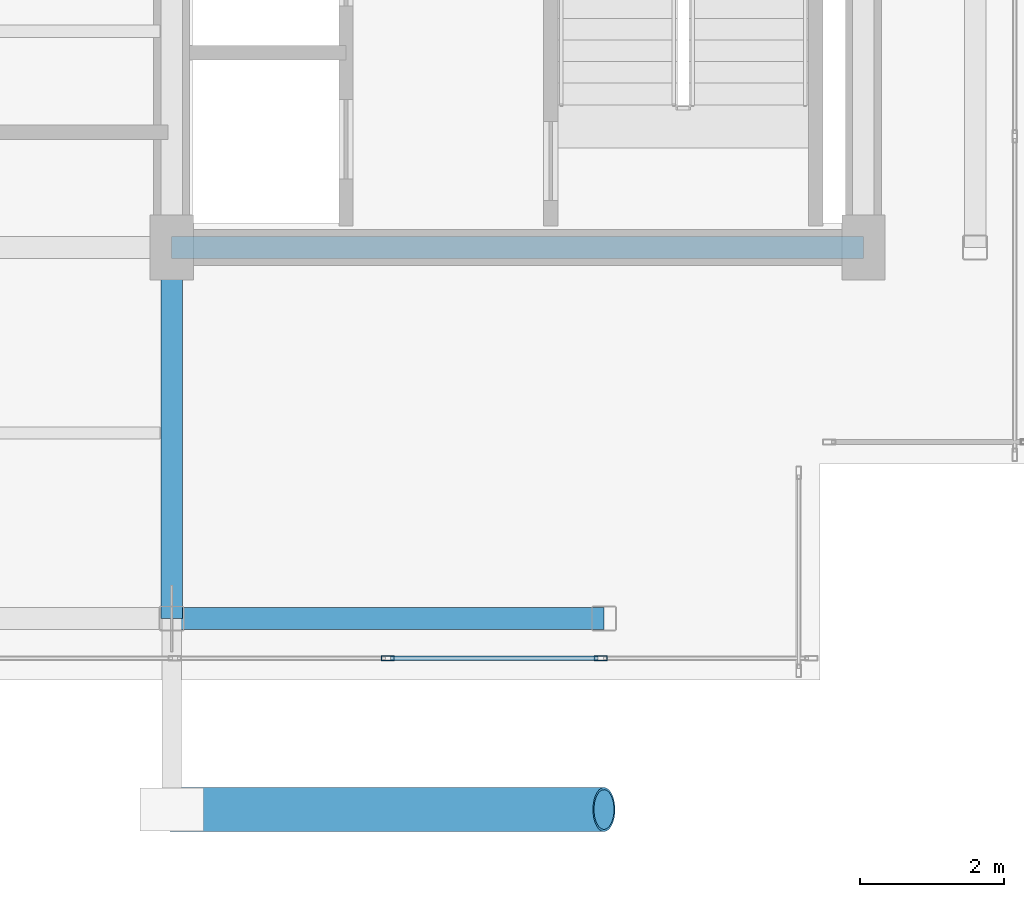
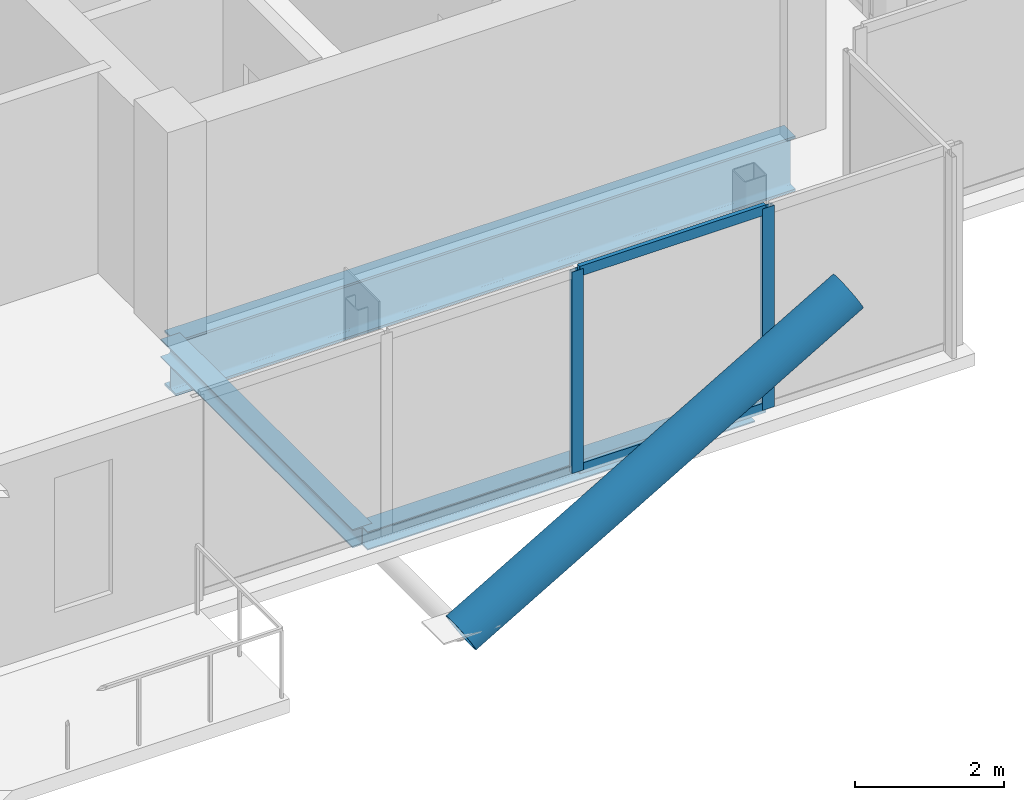
# One storey, part 5 of 18: 5 members, 3 beams, 1 element without a shape of its own.
"""IFC4 building model written with IfcOpenShell, lengths in metres."""

import ifcopenshell
import ifcopenshell.guid

model = None  # the IFC model being written
_history = None  # IfcOwnerHistory: only IFC2X3 demands one
_inside = {}  # id of a spatial element -> (the spatial element, [elements in it])
_under = {}  # id of a project, library or spatial element -> (it, [spatial elements below it])
_declared = {}  # id of a project -> (the project, [libraries it declares])
_typed = {}  # id of a type object -> (the type object, [elements of that type])
_made_of = {}  # id of a material, layer set ... -> (it, [elements and type objects made of it])


def new_model(schema):
    """Start an empty IFC model of exactly this schema.

    Asked for "IFC4X3", IfcOpenShell would pick the latest addendum, in which some entities
    have other attributes; the version numbers below select the first issue.
    IFC2X3 requires an IfcOwnerHistory on every rooted entity: one is made here for all.
    """
    global model, _history
    if schema == "IFC4X3":
        model = ifcopenshell.file(schema_version=(4, 3, 0, 0))
    else:
        model = ifcopenshell.file(schema=schema)
    _inside.clear()
    _under.clear()
    _declared.clear()
    _typed.clear()
    _made_of.clear()
    _history = None
    if model.schema == "IFC2X3":
        org = make("IfcOrganization", Name="unknown")
        user = make(
            "IfcPersonAndOrganization",
            ThePerson=make("IfcPerson", FamilyName="unknown"),
            TheOrganization=org,
        )
        app = make(
            "IfcApplication",
            ApplicationDeveloper=org,
            Version="unknown",
            ApplicationFullName="unknown",
            ApplicationIdentifier="unknown",
        )
        _history = make(
            "IfcOwnerHistory",
            OwningUser=user,
            OwningApplication=app,
            ChangeAction="ADDED",
            CreationDate=0,
        )
    return model


def make(cls, **values):
    """One entity of the class cls with the attributes given. An attribute that is None is left unset."""
    return model.create_entity(
        cls, **{name: value for name, value in values.items() if value is not None}
    )


def rooted(cls, **values):
    """An entity with a GlobalId (a new one), such as an element, a storey or a relation."""
    return make(cls, GlobalId=ifcopenshell.guid.new(), OwnerHistory=_history, **values)


def si_unit(unit_type, name, prefix=None):
    """IfcSIUnit, for example si_unit("LENGTHUNIT", "METRE", prefix="MILLI")."""
    return make("IfcSIUnit", UnitType=unit_type, Prefix=prefix, Name=name)


def assignment(units):
    """IfcUnitAssignment: the units of a project."""
    return None if units is None else make("IfcUnitAssignment", Units=units)


def point(xyz):
    """IfcCartesianPoint."""
    return None if xyz is None else make("IfcCartesianPoint", Coordinates=xyz)


def direction(xyz):
    """IfcDirection."""
    return None if xyz is None else make("IfcDirection", DirectionRatios=xyz)


def frame(location, z_axis=None, x_axis=None):
    """IfcAxis2Placement3D, a coordinate frame: its origin and axes. An axis left out is left unset."""
    return make(
        "IfcAxis2Placement3D",
        Location=point(location),
        Axis=direction(z_axis),
        RefDirection=direction(x_axis),
    )


def frame_2d(location, x_axis=None):
    """IfcAxis2Placement2D, a coordinate frame in the plane: its origin and x axis."""
    return make(
        "IfcAxis2Placement2D", Location=point(location), RefDirection=direction(x_axis)
    )


def origin():
    """The frame at (0, 0, 0) with its axes left unset."""
    return frame((0.0, 0.0, 0.0))


def origin_2d():
    """The frame at (0, 0) in the plane with its x axis left unset."""
    return frame_2d((0.0, 0.0))


def place(relative_to, where):
    """IfcLocalPlacement: puts the frame where relative to a parent placement (None: the world)."""
    return make(
        "IfcLocalPlacement", PlacementRelTo=relative_to, RelativePlacement=where
    )


def context(
    kind, dimensions, precision=None, world=None, true_north=None, identifier=None
):
    """IfcGeometricRepresentationContext, for example the 3D "Model" context."""
    return make(
        "IfcGeometricRepresentationContext",
        ContextIdentifier=identifier,
        ContextType=kind,
        CoordinateSpaceDimension=dimensions,
        Precision=precision,
        WorldCoordinateSystem=world,
        TrueNorth=true_north,
    )


def subcontext(parent, identifier, kind, view, scale=None):
    """IfcGeometricRepresentationSubContext, for example "Body" below "Model"."""
    return make(
        "IfcGeometricRepresentationSubContext",
        ContextIdentifier=identifier,
        ContextType=kind,
        ParentContext=parent,
        TargetScale=scale,
        TargetView=view,
    )


def project(units=None, contexts=None):
    """IfcProject with its units and contexts."""
    return rooted(
        "IfcProject",
        Name="project",
        RepresentationContexts=contexts,
        UnitsInContext=assignment(units),
    )


def spatial(cls, under=None, at=None, **own):
    """A site, building, storey or space (cls), placed at a placement, below another one or the project."""
    s = rooted(cls, ObjectPlacement=at, **own)
    if under is not None:
        _under.setdefault(under.id(), (under, []))[1].append(s)
    return s


def profile(cls, at=None, kind="AREA", **sizes):
    """A parametric profile (cls). Its sizes go by their IFC names, for example OverallWidth=200.0."""
    return make(cls, ProfileType=kind, Position=at, **sizes)


def hollow_rectangle(**sizes):
    """IfcRectangleHollowProfileDef."""
    return profile("IfcRectangleHollowProfileDef", **sizes)


def hollow_circle(**sizes):
    """IfcCircleHollowProfileDef."""
    return profile("IfcCircleHollowProfileDef", **sizes)


def i_section(**sizes):
    """IfcIShapeProfileDef."""
    return profile("IfcIShapeProfileDef", **sizes)


def extrude(swept, where, along, depth):
    """IfcExtrudedAreaSolid: the profile swept, set in the frame where, extruded along a direction by depth."""
    return make(
        "IfcExtrudedAreaSolid",
        SweptArea=swept,
        Position=where,
        ExtrudedDirection=direction(along),
        Depth=depth,
    )


def shape(context_of_items, identifier, shape_type, items):
    """IfcShapeRepresentation: the items that make up one representation, for example the "Body"."""
    return make(
        "IfcShapeRepresentation",
        ContextOfItems=context_of_items,
        RepresentationIdentifier=identifier,
        RepresentationType=shape_type,
        Items=items,
    )


def material(Name=None, Category=None):
    """IfcMaterial."""
    return make("IfcMaterial", Name=Name, Category=Category)


def layer(
    of_material, thickness, ventilated=None, Name=None, Category=None, Priority=None
):
    """IfcMaterialLayer: one layer of a wall or slab, of a material (None: an air gap)."""
    return make(
        "IfcMaterialLayer",
        Material=of_material,
        LayerThickness=thickness,
        IsVentilated=ventilated,
        Name=Name,
        Category=Category,
        Priority=Priority,
    )


def layer_set(layers, Name=None):
    """IfcMaterialLayerSet."""
    return make("IfcMaterialLayerSet", MaterialLayers=layers, LayerSetName=Name)


def material_profile(
    of_material, cross_section, Name=None, Category=None, Priority=None
):
    """IfcMaterialProfile: a cross section and its material."""
    return make(
        "IfcMaterialProfile",
        Name=Name,
        Material=of_material,
        Profile=cross_section,
        Priority=Priority,
        Category=Category,
    )


def profile_set(profiles, Name=None, composite=None):
    """IfcMaterialProfileSet."""
    return make(
        "IfcMaterialProfileSet",
        Name=Name,
        MaterialProfiles=profiles,
        CompositeProfile=composite,
    )


def made_of(thing, what):
    """Note that an element or type object is made of a material, layer set ...; save() writes the relation."""
    if what is not None:
        _made_of.setdefault(what.id(), (what, []))[1].append(thing)
    return thing


def type_object(cls, material=None, **own):
    """A type object (cls), such as IfcWallType, which elements share."""
    return made_of(rooted(cls, **own), material)


def element(
    cls,
    number,
    at=None,
    inside=None,
    cuts=None,
    type_object=None,
    material=None,
    context=None,
    identifier="Body",
    shape_type=None,
    held_by="IfcProductDefinitionShape",
    body=None,
    shapes=None,
    **own,
):
    """One element of the class cls, such as IfcWall. Its Tag is "e" and its number.

    at: its placement. inside: the storey or other place that contains it. cuts: it is an
    opening in that element (IfcRelVoidsElement). A single representation is given by context,
    identifier, shape_type and body (its items); several are given by shapes. held_by: the class
    of the entity that holds the representations. save() writes the other relations.
    """
    e = rooted(cls, Tag="e%d" % number, ObjectPlacement=at, **own)
    if body is not None:
        shapes = [shape(context, identifier, shape_type, body)]
    if shapes is not None:
        e.Representation = make(held_by, Representations=shapes)
    if inside is not None:
        _inside.setdefault(inside.id(), (inside, []))[1].append(e)
    if cuts is not None:
        rooted(
            "IfcRelVoidsElement", RelatingBuildingElement=cuts, RelatedOpeningElement=e
        )
    if type_object is not None:
        _typed.setdefault(type_object.id(), (type_object, []))[1].append(e)
    return made_of(e, material)


def aggregate(whole, parts):
    """IfcRelAggregates: a whole, such as a stair, and the parts it consists of."""
    return rooted("IfcRelAggregates", RelatingObject=whole, RelatedObjects=parts)


def save(model, path):
    """Write the relations noted so far, then the file.

    IfcRelAggregates (storeys below a building ...), IfcRelContainedInSpatialStructure (elements
    in a storey), IfcRelDefinesByType, IfcRelAssociatesMaterial and IfcRelDeclares: one each for
    every whole, place, type object, material and project.
    """
    for whole, parts in _under.values():
        aggregate(whole, parts)
    for where, things in _inside.values():
        rooted(
            "IfcRelContainedInSpatialStructure",
            RelatedElements=things,
            RelatingStructure=where,
        )
    for kind, things in _typed.values():
        rooted("IfcRelDefinesByType", RelatedObjects=things, RelatingType=kind)
    for what, things in _made_of.values():
        rooted("IfcRelAssociatesMaterial", RelatedObjects=things, RelatingMaterial=what)
    for by, libraries in _declared.values():
        rooted("IfcRelDeclares", RelatingContext=by, RelatedDefinitions=libraries)
    model.write(path)


model = new_model("IFC4")

# Units and contexts
model_context = context("Model", 3, precision=1e-05, world=origin(), true_north=direction((0.0, 1.0)))
body_context = subcontext(model_context, "Body", "Model", "MODEL_VIEW")
ifc_project = project(units=[si_unit("LENGTHUNIT", "METRE"), si_unit("AREAUNIT", "SQUARE_METRE"), si_unit("VOLUMEUNIT", "CUBIC_METRE"), si_unit("PLANEANGLEUNIT", "RADIAN"), si_unit("MASSUNIT", "GRAM", prefix="KILO"), si_unit("THERMODYNAMICTEMPERATUREUNIT", "KELVIN"), si_unit("POWERUNIT", "WATT")], contexts=[model_context])

# Site, building, storey
site_placement = place(None, origin())
site = spatial("IfcSite", under=ifc_project, at=site_placement, CompositionType="ELEMENT")
building_placement = place(site_placement, origin())
building = spatial("IfcBuilding", under=site, at=building_placement, Name="Svarakhadi Broadcast Tower", CompositionType="ELEMENT")
storey_placement = place(building_placement, frame((0.0, 0.0, 281.699951171875)))
storey = spatial("IfcBuildingStorey", under=building, at=storey_placement, Name="L71", CompositionType="ELEMENT", Elevation=281.699951171875)

# Curtain wall, members
ifc_material_1 = material(Name="Anodised Bronze Aluminium AA 6063-T6", Category="aluminium")
ifc_layer = layer(ifc_material_1, 0.179931640625)
ifc_layer_set = layer_set([ifc_layer], Name="Anodised Bronze Aluminium AA 6063-T6")
curtain_wall_type = type_object("IfcCurtainWallType", Name="CW_Sys_05", PredefinedType="NOTDEFINED", material=ifc_layer_set)
curtain_wall_placement = place(storey_placement, origin())
curtain_wall = element("IfcCurtainWall", 1, at=curtain_wall_placement, inside=storey, type_object=curtain_wall_type, Name="L71 South Curtain Wall 16", PredefinedType="NOTDEFINED")
ifc_material_profile_1 = material_profile(ifc_material_1, hollow_rectangle(XDim=0.070068359375, YDim=0.179931640625, WallThickness=0.005615234375, at=origin_2d()), Name="ALU MULLION 180x70x6")
ifc_profile_set_1 = profile_set([ifc_material_profile_1], Name="Anodised Bronze Aluminium AA 6063-T6")
member_type_1 = type_object("IfcMemberType", Name="CW_Sys_05_Mul", PredefinedType="MULLION", material=ifc_profile_set_1)
member_1_placement = place(storey_placement, frame((29.955078125, 0.300048828125, 0.0), z_axis=(0.0, 0.0, 1.0), x_axis=(0.0, -1.0, 0.0)))
member_1 = element("IfcMember", 2, at=member_1_placement, type_object=member_type_1, Name="CW-05 mullion 2", PredefinedType="MULLION", context=body_context, shape_type="SweptSolid", body=[
    extrude(hollow_rectangle(XDim=0.070068359375, YDim=0.179931640625, WallThickness=0.005615234375, at=origin_2d()), origin(), (0.0, 0.0, 1.0), 3.300048828125),
])
member_2_placement = place(storey_placement, frame((27.0, 0.300048828125, 0.0), z_axis=(0.0, 0.0, 1.0), x_axis=(0.0, -1.0, 0.0)))
member_2 = element("IfcMember", 3, at=member_2_placement, type_object=member_type_1, Name="CW-05 mullion 3", PredefinedType="MULLION", context=body_context, shape_type="SweptSolid", body=[
    extrude(hollow_rectangle(XDim=0.070068359375, YDim=0.179931640625, WallThickness=0.005615234375, at=origin_2d()), origin(), (0.0, 0.0, 1.0), 3.300048828125),
])
ifc_material_profile_2 = material_profile(ifc_material_1, hollow_rectangle(XDim=0.06494140625, YDim=0.1650390625, WallThickness=0.0048828125, at=origin_2d()), Name="ALU TRANSOM 165x65x5")
ifc_profile_set_2 = profile_set([ifc_material_profile_2], Name="Anodised Bronze Aluminium AA 6063-T6")
member_type_2 = type_object("IfcMemberType", Name="CW_Sys_05_Trn", PredefinedType="USERDEFINED", material=ifc_profile_set_2)
member_3_placement = place(storey_placement, frame((29.919921875, 0.300048828125, 0.032470703125), z_axis=(-1.0, 0.0, 0.0), x_axis=(0.0, -1.0, 0.0)))
member_3 = element("IfcMember", 4, at=member_3_placement, type_object=member_type_2, Name="CW-05 transom 2.1", ObjectType="TRANSOM", PredefinedType="USERDEFINED", context=body_context, shape_type="SweptSolid", body=[
    extrude(hollow_rectangle(XDim=0.06494140625, YDim=0.1650390625, WallThickness=0.0048828125, at=origin_2d()), origin(), (0.0, 0.0, 1.0), 2.885009765625),
])
member_4_placement = place(storey_placement, frame((29.919921875, 0.300048828125, 3.267578125), z_axis=(-1.0, 0.0, 0.0), x_axis=(0.0, -1.0, 0.0)))
member_4 = element("IfcMember", 5, at=member_4_placement, type_object=member_type_2, Name="CW-05 transom 2.2", ObjectType="TRANSOM", PredefinedType="USERDEFINED", context=body_context, shape_type="SweptSolid", body=[
    extrude(hollow_rectangle(XDim=0.06494140625, YDim=0.1650390625, WallThickness=0.0048828125, at=origin_2d()), origin(), (0.0, 0.0, 1.0), 2.885009765625),
])
aggregate(curtain_wall, [member_1, member_2, member_3, member_4])

# Member
ifc_material_2 = material(Name="Steel S460ML (IS 2062 E450BR)", Category="steel")
ifc_material_profile_3 = material_profile(ifc_material_2, hollow_circle(Radius=0.304931640625, WallThickness=0.030029296875, at=origin_2d()), Name="CHS 610x30")
ifc_profile_set_3 = profile_set([ifc_material_profile_3], Name="Steel S460ML (IS 2062 E450BR)")
member_type_3 = type_object("IfcMemberType", Name="Exo_Brace_CHS610", PredefinedType="BRACE", material=ifc_profile_set_3)
member_5_placement = place(storey_placement, frame((24.0, -1.800048828125, -0.33642578125), z_axis=(0.863778900898, 0.0, 0.503871025524), x_axis=(0.0, 1.0, 0.0)))
element("IfcMember", 6, at=member_5_placement, inside=storey, type_object=member_type_3, Name="L71 Exposed Bronze Exoskeleton Diagonal S01", PredefinedType="BRACE", context=body_context, shape_type="SweptSolid", body=[
    extrude(hollow_circle(Radius=0.304931640625, WallThickness=0.030029296875, at=origin_2d()), origin(), (0.0, 0.0, 1.0), 6.9462890625),
])

# Beams
ifc_material_3 = material(Name="Steel S355J2 (IS 2062 E350C)", Category="steel")
ifc_material_profile_4 = material_profile(ifc_material_3, i_section(OverallWidth=0.300048828125, OverallDepth=0.300048828125, WebThickness=0.010986328125, FlangeThickness=0.01904296875, FilletRadius=0.027099609375, at=origin_2d()), Name="WPB 300x300x117")
ifc_profile_set_4 = profile_set([ifc_material_profile_4], Name="Steel S355J2 (IS 2062 E350C)")
beam_type_1 = type_object("IfcBeamType", Name="Girder_WPB300", PredefinedType="USERDEFINED", material=ifc_profile_set_4)
beam_1_placement = place(storey_placement, frame((24.0, 0.85009765625, -0.349853515625), z_axis=(1.0, 0.0, 0.0), x_axis=(0.0, 1.0, 0.0)))
element("IfcBeam", 7, at=beam_1_placement, inside=storey, type_object=beam_type_1, Name="L71 Primary E-W Girder G007", ObjectType="GIRDER", PredefinedType="USERDEFINED", context=body_context, shape_type="SweptSolid", body=[
    extrude(i_section(OverallWidth=0.300048828125, OverallDepth=0.300048828125, WebThickness=0.010986328125, FlangeThickness=0.01904296875, FilletRadius=0.027099609375, at=origin_2d()), origin(), (0.0, 0.0, 1.0), 6.0),
])
beam_2_placement = place(storey_placement, frame((24.0, 0.85009765625, -0.349853515625), z_axis=(0.0, 1.0, 0.0), x_axis=(-1.0, 0.0, 0.0)))
element("IfcBeam", 8, at=beam_2_placement, inside=storey, type_object=beam_type_1, Name="L71 Primary N-S Girder G040", ObjectType="GIRDER", PredefinedType="USERDEFINED", context=body_context, shape_type="SweptSolid", body=[
    extrude(i_section(OverallWidth=0.300048828125, OverallDepth=0.300048828125, WebThickness=0.010986328125, FlangeThickness=0.01904296875, FilletRadius=0.027099609375, at=origin_2d()), origin(), (0.0, 0.0, 1.0), 5.14990234375),
])
ifc_material_profile_5 = material_profile(ifc_material_2, i_section(OverallWidth=0.300048828125, OverallDepth=0.89990234375, WebThickness=0.0185546875, FlangeThickness=0.034912109375, FilletRadius=0.030029296875, at=origin_2d()), Name="WPB 900x300x291")
ifc_profile_set_5 = profile_set([ifc_material_profile_5], Name="Steel S460ML (IS 2062 E450BR)")
beam_type_2 = type_object("IfcBeamType", Name="Girder_WPB900", PredefinedType="USERDEFINED", material=ifc_profile_set_5)
beam_3_placement = place(storey_placement, frame((24.0, 6.0, -0.64990234375), z_axis=(1.0, 0.0, 0.0), x_axis=(0.0, 1.0, 0.0)))
element("IfcBeam", 9, at=beam_3_placement, inside=storey, type_object=beam_type_2, Name="L71 Primary E-W Girder G012", ObjectType="GIRDER", PredefinedType="USERDEFINED", context=body_context, shape_type="SweptSolid", body=[
    extrude(i_section(OverallWidth=0.300048828125, OverallDepth=0.89990234375, WebThickness=0.0185546875, FlangeThickness=0.034912109375, FilletRadius=0.030029296875, at=origin_2d()), origin(), (0.0, 0.0, 1.0), 9.60009765625),
])

save(model, "model.ifc")
